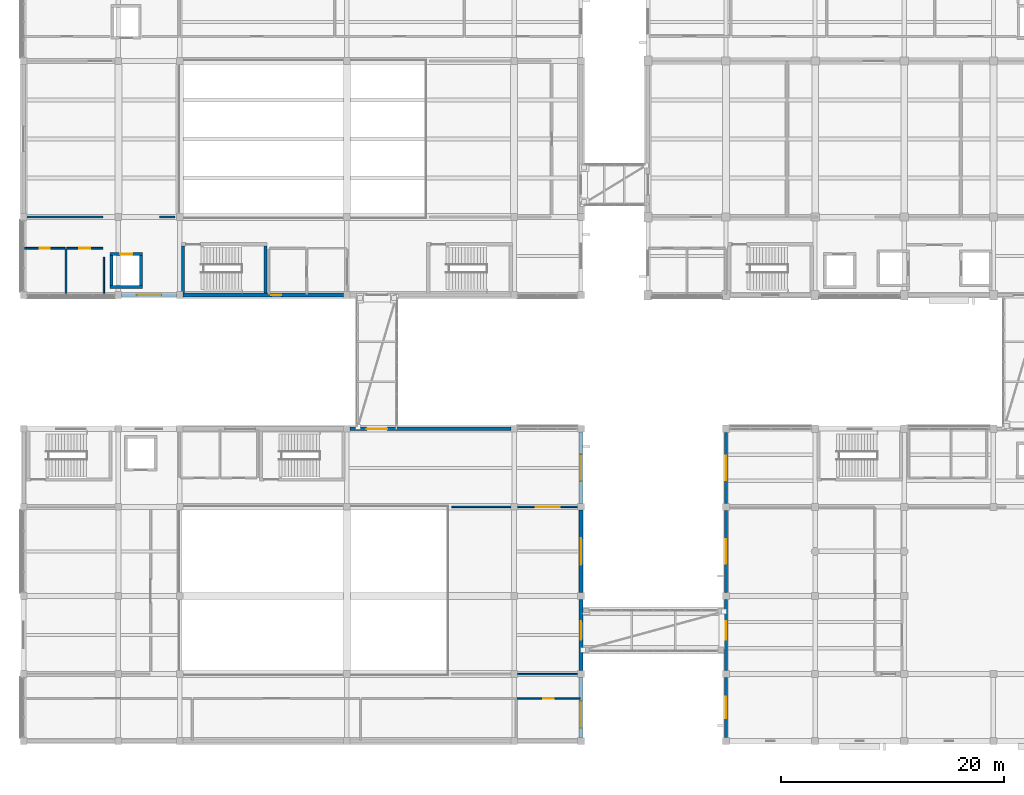
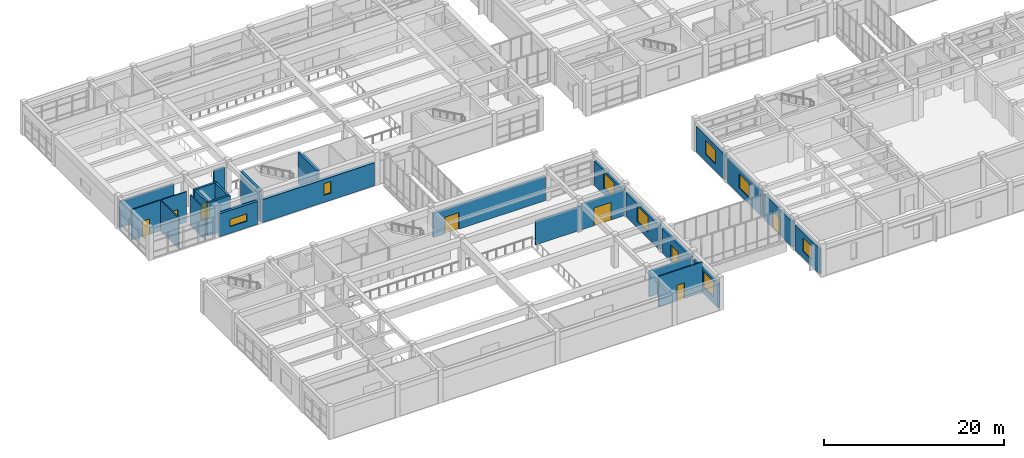
# One storey, part 47 of 72: 27 walls, 8 doors, 8 windows, 16 openings.
"""IFC4 building model written with IfcOpenShell, lengths in metres."""

from ifc_helpers import new_model, si_unit, direction, frame, frame_2d, origin, place, context, subcontext, project, spatial, rectangle, extrude, material, layer, layer_set, type_object, element, fill, save


model = new_model("IFC4")

# Units and contexts
model_context = context("Model", 3, precision=1e-05, world=origin(), true_north=direction((0.0, 1.0)))
body_context = subcontext(model_context, "Body", "Model", "MODEL_VIEW")
ifc_project = project(units=[si_unit("LENGTHUNIT", "METRE"), si_unit("AREAUNIT", "SQUARE_METRE"), si_unit("VOLUMEUNIT", "CUBIC_METRE"), si_unit("PLANEANGLEUNIT", "RADIAN"), si_unit("MASSUNIT", "GRAM", prefix="KILO")], contexts=[model_context])

# Site, building, storey
site_placement = place(None, origin())
site = spatial("IfcSite", under=ifc_project, at=site_placement, CompositionType="ELEMENT")
building_placement = place(site_placement, origin())
building = spatial("IfcBuilding", under=site, at=building_placement, Name="Naurynzar Civic Courthouse", CompositionType="ELEMENT")
storey_placement = place(building_placement, frame((0.0, 0.0, 9.89990234375)))
storey = spatial("IfcBuildingStorey", under=building, at=storey_placement, Name="L03", CompositionType="ELEMENT", Elevation=9.89990234375)

# Walls
ifc_material_1 = material(Name="Acoustic Double-Stud Gypsum Partition")
ifc_layer_1 = layer(ifc_material_1, 0.215087890625)
ifc_layer_set_1 = layer_set([ifc_layer_1], Name="WL-ACOUSTIC-215")
wall_type_1 = type_object("IfcWallType", Name="WL-ACOUSTIC-215", PredefinedType="PARTITIONING", material=ifc_layer_set_1)
wall_1_placement = place(storey_placement, frame((6.080078125, 51.0, 0.0), z_axis=(0.0, 0.0, 1.0), x_axis=(1.0, 0.0, 0.0)))
element("IfcWall", 1, at=wall_1_placement, inside=storey, type_object=wall_type_1, Name="V1 interior partition L03.350", PredefinedType="PARTITIONING", context=body_context, shape_type="SweptSolid", body=[
    extrude(rectangle(XDim=7.02001953125, YDim=0.215087890625, at=frame_2d((3.510009765625, 0.0))), origin(), (0.0, 0.0, 1.0), 3.530029296875),
])
wall_2_placement = place(storey_placement, frame((18.199951171875, 51.0, 0.0), z_axis=(0.0, 0.0, 1.0), x_axis=(1.0, 0.0, 0.0)))
element("IfcWall", 2, at=wall_2_placement, inside=storey, type_object=wall_type_1, Name="V1 interior partition L03.351", PredefinedType="PARTITIONING", context=body_context, shape_type="SweptSolid", body=[
    extrude(rectangle(XDim=1.400146484375, YDim=0.215087890625, at=frame_2d((0.7001953125, 0.0))), origin(), (0.0, 0.0, 1.0), 3.530029296875),
])
ifc_material_2 = material(Name="Concrete C40/50", Category="concrete")
ifc_layer_2 = layer(ifc_material_2, 0.300048828125)
ifc_layer_set_2 = layer_set([ifc_layer_2], Name="WL-CORE-300")
wall_type_2 = type_object("IfcWallType", Name="WL-CORE-300", PredefinedType="SHEAR", material=ifc_layer_set_2)
for number, where, z_axis, x_axis, name in (
    (3, (20.300048828125, 48.39501953125, 0.0), (0.0, 0.0, 1.0), (0.0, -1.0, 0.0), "Stair ST-V1A enclosure wall west L03"),
    (4, (27.699951171875, 44.195068359375, 0.0), (0.0, 0.0, 1.0), (0.0, 1.0, 0.0), "Stair ST-V1A enclosure wall east L03"),
):
    element("IfcWall", number, at=place(storey_placement, frame(where, z_axis=z_axis, x_axis=x_axis)), inside=storey, type_object=wall_type_2, Name=name, PredefinedType="SHEAR", context=body_context, shape_type="SweptSolid", body=[
        extrude(rectangle(XDim=4.199951171875, YDim=0.300048828125, at=frame_2d((2.10009765625, 0.0))), origin(), (0.0, 0.0, 1.0), 4.239990234375),
    ])

# Wall, opening, window
ifc_material_3 = material(Name="Precast concrete C40/50", Category="concrete")
ifc_layer_3 = layer(ifc_material_3, 0.260009765625)
ifc_layer_set_3 = layer_set([ifc_layer_3], Name="WL-EXT-260")
wall_type_3 = type_object("IfcWallType", Name="WL-EXT-260", PredefinedType="SOLIDWALL", material=ifc_layer_set_3)
wall_3_placement = place(storey_placement, frame((69.0, 4.324951171875, 0.0), z_axis=(0.0, 0.0, 1.0), x_axis=(0.0, 1.0, 0.0)))
wall_3 = element("IfcWall", 5, at=wall_3_placement, inside=storey, type_object=wall_type_3, Name="V3 exterior wall west L03.1.1", PredefinedType="SOLIDWALL", context=body_context, shape_type="SweptSolid", body=[
    extrude(rectangle(XDim=5.35009765625, YDim=0.260009765625, at=frame_2d((2.675048828125, 0.0))), origin(), (0.0, 0.0, 1.0), 3.440185546875),
])
opening_1_placement = place(wall_3_placement, frame((1.699951171875, 0.0, 0.89990234375)))
opening_1 = element("IfcOpeningElement", 6, at=opening_1_placement, cuts=wall_3, Name="Opening WN-12", PredefinedType="OPENING", context=body_context, shape_type="SweptSolid", body=[
    extrude(rectangle(XDim=1.949951171875, YDim=1.85009765625, at=frame_2d((0.97509765625, 0.925048828125))), frame((0.0, 0.139892578125, 0.0), z_axis=(0.0, -1.0, 0.0), x_axis=(1.0, 0.0, 0.0)), (0.0, 0.0, 1.0), 0.280029296875),
])
ifc_material_4 = material(Name="Tempered Laminated Low-E Glass", Category="glass")
window_type_1 = type_object("IfcWindowType", Name="WIN-LIB-READ-1950x1850", PartitioningType="DOUBLE_PANEL_VERTICAL", PredefinedType="WINDOW", material=ifc_material_4)
window_1_placement = place(opening_1_placement, origin())
window_1 = element("IfcWindow", 7, at=window_1_placement, inside=storey, type_object=window_type_1, Name="V3 window 167 L03", OverallHeight=1.85009765625, OverallWidth=1.949951171875, PartitioningType="SINGLE_PANEL", PredefinedType="WINDOW", context=body_context, shape_type="SweptSolid", body=[
    extrude(rectangle(XDim=1.949951171875, YDim=1.85009765625, at=frame_2d((0.97509765625, 0.925048828125))), frame((0.0, 0.030029296875, 0.0), z_axis=(0.0, -1.0, 0.0), x_axis=(1.0, 0.0, 0.0)), (0.0, 0.0, 1.0), 0.06005859375),
])
fill(opening_1, window_1)

# Wall, opening, door
wall_4_placement = place(storey_placement, frame((69.0, 10.324951171875, 0.0), z_axis=(0.0, 0.0, 1.0), x_axis=(0.0, 1.0, 0.0)))
wall_4 = element("IfcWall", 8, at=wall_4_placement, inside=storey, type_object=wall_type_3, Name="V3 exterior wall west L03.2.1", PredefinedType="SOLIDWALL", context=body_context, shape_type="SweptSolid", body=[
    extrude(rectangle(XDim=6.35009765625, YDim=0.260009765625, at=frame_2d((3.175048828125, 0.0))), origin(), (0.0, 0.0, 1.0), 3.440185546875),
])
opening_2_placement = place(wall_4_placement, frame((2.75, 0.0, 0.0)))
opening_2 = element("IfcOpeningElement", 9, at=opening_2_placement, cuts=wall_4, Name="Opening BD-22", PredefinedType="OPENING", context=body_context, shape_type="SweptSolid", body=[
    extrude(rectangle(XDim=1.64990234375, YDim=2.199951171875, at=frame_2d((0.824951171875, 1.10009765625))), frame((0.0, 0.139892578125, 0.0), z_axis=(0.0, -1.0, 0.0), x_axis=(1.0, 0.0, 0.0)), (0.0, 0.0, 1.0), 0.280029296875),
])
ifc_material_5 = material(Name="Aluminium 6063-T6", Category="aluminium")
door_type_1 = type_object("IfcDoorType", Name="DR-BRG-1650x2200", OperationType="DOUBLE_DOOR_SINGLE_SWING", PredefinedType="DOOR", material=ifc_material_5)
door_1_placement = place(opening_2_placement, origin())
door_1 = element("IfcDoor", 10, at=door_1_placement, inside=storey, type_object=door_type_1, Name="Seismic bridge fire door BD-22", OperationType="DOUBLE_DOOR_SINGLE_SWING", OverallHeight=2.199951171875, OverallWidth=1.64990234375, PredefinedType="DOOR", context=body_context, shape_type="SweptSolid", body=[
    extrude(rectangle(XDim=1.64990234375, YDim=2.199951171875, at=frame_2d((0.824951171875, 1.10009765625))), frame((0.0, 0.02490234375, 0.0), z_axis=(0.0, -1.0, 0.0), x_axis=(1.0, 0.0, 0.0)), (0.0, 0.0, 1.0), 0.050048828125),
])
fill(opening_2, door_1)

# Wall, opening, window
wall_5_placement = place(storey_placement, frame((69.0, 17.324951171875, 0.0), z_axis=(0.0, 0.0, 1.0), x_axis=(0.0, 1.0, 0.0)))
wall_5 = element("IfcWall", 11, at=wall_5_placement, inside=storey, type_object=wall_type_3, Name="V3 exterior wall west L03.3.1", PredefinedType="SOLIDWALL", context=body_context, shape_type="SweptSolid", body=[
    extrude(rectangle(XDim=7.35009765625, YDim=0.260009765625, at=frame_2d((3.675048828125, 0.0))), origin(), (0.0, 0.0, 1.0), 3.440185546875),
])
opening_3_placement = place(wall_5_placement, frame((2.574951171875, 0.0, 0.89990234375)))
opening_3 = element("IfcOpeningElement", 12, at=opening_3_placement, cuts=wall_5, Name="Opening WN-11", PredefinedType="OPENING", context=body_context, shape_type="SweptSolid", body=[
    extrude(rectangle(XDim=2.199951171875, YDim=1.89990234375, at=frame_2d((1.10009765625, 0.949951171875))), frame((0.0, 0.139892578125, 0.0), z_axis=(0.0, -1.0, 0.0), x_axis=(1.0, 0.0, 0.0)), (0.0, 0.0, 1.0), 0.280029296875),
])
ifc_material_6 = material(Name="Tempered Laminated Low-E Glass", Category="glass")
window_type_2 = type_object("IfcWindowType", Name="WIN-LIB-READ-2200x1900", PartitioningType="DOUBLE_PANEL_VERTICAL", PredefinedType="WINDOW", material=ifc_material_6)
window_2_placement = place(opening_3_placement, origin())
window_2 = element("IfcWindow", 13, at=window_2_placement, inside=storey, type_object=window_type_2, Name="V3 window 168 L03", OverallHeight=1.89990234375, OverallWidth=2.199951171875, PartitioningType="SINGLE_PANEL", PredefinedType="WINDOW", context=body_context, shape_type="SweptSolid", body=[
    extrude(rectangle(XDim=2.199951171875, YDim=1.89990234375, at=frame_2d((1.10009765625, 0.949951171875))), frame((0.0, 0.030029296875, 0.0), z_axis=(0.0, -1.0, 0.0), x_axis=(1.0, 0.0, 0.0)), (0.0, 0.0, 1.0), 0.06005859375),
])
fill(opening_3, window_2)

wall_6_placement = place(storey_placement, frame((69.0, 25.324951171875, 0.0), z_axis=(0.0, 0.0, 1.0), x_axis=(0.0, 1.0, 0.0)))
wall_6 = element("IfcWall", 14, at=wall_6_placement, inside=storey, type_object=wall_type_3, Name="V3 exterior wall west L03.4.1", PredefinedType="SOLIDWALL", context=body_context, shape_type="SweptSolid", body=[
    extrude(rectangle(XDim=6.35009765625, YDim=0.260009765625, at=frame_2d((3.175048828125, 0.0))), origin(), (0.0, 0.0, 1.0), 3.440185546875),
])
opening_4_placement = place(wall_6_placement, frame((2.074951171875, 0.0, 0.89990234375)))
opening_4 = element("IfcOpeningElement", 15, at=opening_4_placement, cuts=wall_6, Name="Opening WN-11", PredefinedType="OPENING", context=body_context, shape_type="SweptSolid", body=[
    extrude(rectangle(XDim=2.199951171875, YDim=1.89990234375, at=frame_2d((1.10009765625, 0.949951171875))), frame((0.0, 0.139892578125, 0.0), z_axis=(0.0, -1.0, 0.0), x_axis=(1.0, 0.0, 0.0)), (0.0, 0.0, 1.0), 0.280029296875),
])
window_3_placement = place(opening_4_placement, origin())
window_3 = element("IfcWindow", 16, at=window_3_placement, inside=storey, type_object=window_type_2, Name="V3 window 169 L03", OverallHeight=1.89990234375, OverallWidth=2.199951171875, PartitioningType="SINGLE_PANEL", PredefinedType="WINDOW", context=body_context, shape_type="SweptSolid", body=[
    extrude(rectangle(XDim=2.199951171875, YDim=1.89990234375, at=frame_2d((1.10009765625, 0.949951171875))), frame((0.0, 0.030029296875, 0.0), z_axis=(0.0, -1.0, 0.0), x_axis=(1.0, 0.0, 0.0)), (0.0, 0.0, 1.0), 0.06005859375),
])
fill(opening_4, window_3)

ifc_material_7 = material(Name="Precast concrete C40/50", Category="concrete")
ifc_layer_4 = layer(ifc_material_7, 0.320068359375)
ifc_layer_set_4 = layer_set([ifc_layer_4], Name="WL-EXT-320")
wall_type_4 = type_object("IfcWallType", Name="WL-EXT-320", PredefinedType="SOLIDWALL", material=ifc_layer_set_4)
wall_7_placement = place(storey_placement, frame((19.699951171875, 44.0, 0.0), z_axis=(0.0, 0.0, 1.0), x_axis=(-1.0, 0.0, 0.0)))
wall_7 = element("IfcWall", 17, at=wall_7_placement, inside=storey, type_object=wall_type_4, Name="V1 exterior wall south L03.4.1", PredefinedType="SOLIDWALL", context=body_context, shape_type="SweptSolid", body=[
    extrude(rectangle(XDim=4.89990234375, YDim=0.320068359375, at=frame_2d((2.449951171875, 0.0))), origin(), (0.0, 0.0, 1.0), 3.110107421875),
])
opening_5_placement = place(wall_7_placement, frame((1.35009765625, 0.0, 0.89990234375)))
opening_5 = element("IfcOpeningElement", 18, at=opening_5_placement, cuts=wall_7, Name="Opening WN-18", PredefinedType="OPENING", context=body_context, shape_type="SweptSolid", body=[
    extrude(rectangle(XDim=2.199951171875, YDim=1.0, at=frame_2d((1.10009765625, 0.5))), frame((0.0, 0.169921875, 0.0), z_axis=(0.0, -1.0, 0.0), x_axis=(1.0, 0.0, 0.0)), (0.0, 0.0, 1.0), 0.340087890625),
])
ifc_material_8 = material(Name="Tempered Laminated Low-E Glass", Category="glass")
window_type_3 = type_object("IfcWindowType", Name="WIN-CLER-2200x1000", PartitioningType="DOUBLE_PANEL_VERTICAL", PredefinedType="WINDOW", material=ifc_material_8)
window_4_placement = place(opening_5_placement, origin())
window_4 = element("IfcWindow", 19, at=window_4_placement, inside=storey, type_object=window_type_3, Name="V1 window 29 L03", OverallHeight=1.0, OverallWidth=2.199951171875, PartitioningType="SINGLE_PANEL", PredefinedType="WINDOW", context=body_context, shape_type="SweptSolid", body=[
    extrude(rectangle(XDim=2.199951171875, YDim=1.0, at=frame_2d((1.10009765625, 0.5))), frame((0.0, 0.030029296875, 0.0), z_axis=(0.0, -1.0, 0.0), x_axis=(1.0, 0.0, 0.0)), (0.0, 0.0, 1.0), 0.06005859375),
])
fill(opening_5, window_4)

# Wall, opening, door
wall_8_placement = place(storey_placement, frame((35.300048828125, 32.0, 0.0), z_axis=(0.0, 0.0, 1.0), x_axis=(1.0, 0.0, 0.0)))
wall_8 = element("IfcWall", 20, at=wall_8_placement, inside=storey, type_object=wall_type_4, Name="V4 exterior wall north L03.4.1", PredefinedType="SOLIDWALL", context=body_context, shape_type="SweptSolid", body=[
    extrude(rectangle(XDim=14.39990234375, YDim=0.320068359375, at=frame_2d((7.199951171875, 0.0))), origin(), (0.0, 0.0, 1.0), 3.260009765625),
])
opening_6_placement = place(wall_8_placement, frame((1.5, 0.0, 0.0)))
opening_6 = element("IfcOpeningElement", 21, at=opening_6_placement, cuts=wall_8, Name="Opening BD-31", PredefinedType="OPENING", context=body_context, shape_type="SweptSolid", body=[
    extrude(rectangle(XDim=1.800048828125, YDim=2.25, at=frame_2d((0.89990234375, 1.125))), frame((0.0, 0.169921875, 0.0), z_axis=(0.0, -1.0, 0.0), x_axis=(1.0, 0.0, 0.0)), (0.0, 0.0, 1.0), 0.340087890625),
])
ifc_material_9 = material(Name="Aluminium 6063-T6", Category="aluminium")
door_type_2 = type_object("IfcDoorType", Name="DR-BRG-1800x2250", OperationType="DOUBLE_DOOR_SINGLE_SWING", PredefinedType="DOOR", material=ifc_material_9)
door_2_placement = place(opening_6_placement, origin())
door_2 = element("IfcDoor", 22, at=door_2_placement, inside=storey, type_object=door_type_2, Name="Seismic bridge fire door BD-31", OperationType="DOUBLE_DOOR_SINGLE_SWING", OverallHeight=2.25, OverallWidth=1.800048828125, PredefinedType="DOOR", context=body_context, shape_type="SweptSolid", body=[
    extrude(rectangle(XDim=1.800048828125, YDim=2.25, at=frame_2d((0.89990234375, 1.125))), frame((0.0, 0.02490234375, 0.0), z_axis=(0.0, -1.0, 0.0), x_axis=(1.0, 0.0, 0.0)), (0.0, 0.0, 1.0), 0.050048828125),
])
fill(opening_6, door_2)

# Wall, opening, window
wall_9_placement = place(storey_placement, frame((56.0, 31.699951171875, 0.0), z_axis=(0.0, 0.0, 1.0), x_axis=(0.0, -1.0, 0.0)))
wall_9 = element("IfcWall", 23, at=wall_9_placement, inside=storey, type_object=wall_type_4, Name="V4 exterior wall east L03.1.1", PredefinedType="SOLIDWALL", context=body_context, shape_type="SweptSolid", body=[
    extrude(rectangle(XDim=6.39990234375, YDim=0.320068359375, at=frame_2d((3.199951171875, 0.0))), origin(), (0.0, 0.0, 1.0), 3.260009765625),
])
opening_7_placement = place(wall_9_placement, frame((2.0, 0.0, 0.89990234375)))
opening_7 = element("IfcOpeningElement", 24, at=opening_7_placement, cuts=wall_9, Name="Opening WN-01", PredefinedType="OPENING", context=body_context, shape_type="SweptSolid", body=[
    extrude(rectangle(XDim=2.39990234375, YDim=2.10009765625, at=frame_2d((1.199951171875, 1.050048828125))), frame((0.0, 0.169921875, 0.0), z_axis=(0.0, -1.0, 0.0), x_axis=(1.0, 0.0, 0.0)), (0.0, 0.0, 1.0), 0.340087890625),
])
ifc_material_10 = material(Name="Tempered Laminated Low-E Glass", Category="glass")
window_type_4 = type_object("IfcWindowType", Name="WIN-COURT-2400x2100", PartitioningType="DOUBLE_PANEL_VERTICAL", PredefinedType="WINDOW", material=ifc_material_10)
window_5_placement = place(opening_7_placement, origin())
window_5 = element("IfcWindow", 25, at=window_5_placement, inside=storey, type_object=window_type_4, Name="V4 window 224 L03", OverallHeight=2.10009765625, OverallWidth=2.39990234375, PartitioningType="SINGLE_PANEL", PredefinedType="WINDOW", context=body_context, shape_type="SweptSolid", body=[
    extrude(rectangle(XDim=2.39990234375, YDim=2.10009765625, at=frame_2d((1.199951171875, 1.050048828125))), frame((0.0, 0.030029296875, 0.0), z_axis=(0.0, -1.0, 0.0), x_axis=(1.0, 0.0, 0.0)), (0.0, 0.0, 1.0), 0.06005859375),
])
fill(opening_7, window_5)

wall_10_placement = place(storey_placement, frame((56.0, 24.699951171875, 0.0), z_axis=(0.0, 0.0, 1.0), x_axis=(0.0, -1.0, 0.0)))
wall_10 = element("IfcWall", 26, at=wall_10_placement, inside=storey, type_object=wall_type_4, Name="V4 exterior wall east L03.2.1", PredefinedType="SOLIDWALL", context=body_context, shape_type="SweptSolid", body=[
    extrude(rectangle(XDim=7.39990234375, YDim=0.320068359375, at=frame_2d((3.699951171875, 0.0))), origin(), (0.0, 0.0, 1.0), 3.260009765625),
])
opening_8_placement = place(wall_10_placement, frame((2.5, 0.0, 0.89990234375)))
opening_8 = element("IfcOpeningElement", 27, at=opening_8_placement, cuts=wall_10, Name="Opening WN-01", PredefinedType="OPENING", context=body_context, shape_type="SweptSolid", body=[
    extrude(rectangle(XDim=2.39990234375, YDim=2.10009765625, at=frame_2d((1.199951171875, 1.050048828125))), frame((0.0, 0.169921875, 0.0), z_axis=(0.0, -1.0, 0.0), x_axis=(1.0, 0.0, 0.0)), (0.0, 0.0, 1.0), 0.340087890625),
])
window_6_placement = place(opening_8_placement, origin())
window_6 = element("IfcWindow", 28, at=window_6_placement, inside=storey, type_object=window_type_4, Name="V4 window 225 L03", OverallHeight=2.10009765625, OverallWidth=2.39990234375, PartitioningType="SINGLE_PANEL", PredefinedType="WINDOW", context=body_context, shape_type="SweptSolid", body=[
    extrude(rectangle(XDim=2.39990234375, YDim=2.10009765625, at=frame_2d((1.199951171875, 1.050048828125))), frame((0.0, 0.030029296875, 0.0), z_axis=(0.0, -1.0, 0.0), x_axis=(1.0, 0.0, 0.0)), (0.0, 0.0, 1.0), 0.06005859375),
])
fill(opening_8, window_6)

# Wall, opening, door
wall_11_placement = place(storey_placement, frame((56.0, 16.699951171875, 0.0), z_axis=(0.0, 0.0, 1.0), x_axis=(0.0, -1.0, 0.0)))
wall_11 = element("IfcWall", 29, at=wall_11_placement, inside=storey, type_object=wall_type_4, Name="V4 exterior wall east L03.3.1", PredefinedType="SOLIDWALL", context=body_context, shape_type="SweptSolid", body=[
    extrude(rectangle(XDim=6.39990234375, YDim=0.320068359375, at=frame_2d((3.199951171875, 0.0))), origin(), (0.0, 0.0, 1.0), 3.260009765625),
])
opening_9_placement = place(wall_11_placement, frame((1.97509765625, 0.0, 0.0)))
opening_9 = element("IfcOpeningElement", 30, at=opening_9_placement, cuts=wall_11, Name="Opening BD-32", PredefinedType="OPENING", context=body_context, shape_type="SweptSolid", body=[
    extrude(rectangle(XDim=1.64990234375, YDim=2.199951171875, at=frame_2d((0.824951171875, 1.10009765625))), frame((0.0, 0.169921875, 0.0), z_axis=(0.0, -1.0, 0.0), x_axis=(1.0, 0.0, 0.0)), (0.0, 0.0, 1.0), 0.340087890625),
])
door_3_placement = place(opening_9_placement, origin())
door_3 = element("IfcDoor", 31, at=door_3_placement, inside=storey, type_object=door_type_1, Name="Seismic bridge fire door BD-32", OperationType="DOUBLE_DOOR_SINGLE_SWING", OverallHeight=2.199951171875, OverallWidth=1.64990234375, PredefinedType="DOOR", context=body_context, shape_type="SweptSolid", body=[
    extrude(rectangle(XDim=1.64990234375, YDim=2.199951171875, at=frame_2d((0.824951171875, 1.10009765625))), frame((0.0, 0.02490234375, 0.0), z_axis=(0.0, -1.0, 0.0), x_axis=(1.0, 0.0, 0.0)), (0.0, 0.0, 1.0), 0.050048828125),
])
fill(opening_9, door_3)

# Wall, opening, window
wall_12_placement = place(storey_placement, frame((56.0, 9.699951171875, 0.0), z_axis=(0.0, 0.0, 1.0), x_axis=(0.0, -1.0, 0.0)))
wall_12 = element("IfcWall", 32, at=wall_12_placement, inside=storey, type_object=wall_type_4, Name="V4 exterior wall east L03.4.1", PredefinedType="SOLIDWALL", context=body_context, shape_type="SweptSolid", body=[
    extrude(rectangle(XDim=5.39990234375, YDim=0.320068359375, at=frame_2d((2.699951171875, 0.0))), origin(), (0.0, 0.0, 1.0), 3.260009765625),
])
opening_10_placement = place(wall_12_placement, frame((2.1201171875, 0.0, 0.89990234375)))
opening_10 = element("IfcOpeningElement", 33, at=opening_10_placement, cuts=wall_12, Name="Opening WN-01", PredefinedType="OPENING", context=body_context, shape_type="SweptSolid", body=[
    extrude(rectangle(XDim=2.39990234375, YDim=2.10009765625, at=frame_2d((1.199951171875, 1.050048828125))), frame((0.0, 0.169921875, 0.0), z_axis=(0.0, -1.0, 0.0), x_axis=(1.0, 0.0, 0.0)), (0.0, 0.0, 1.0), 0.340087890625),
])
window_7_placement = place(opening_10_placement, origin())
window_7 = element("IfcWindow", 34, at=window_7_placement, inside=storey, type_object=window_type_4, Name="V4 window 226 L03", OverallHeight=2.10009765625, OverallWidth=2.39990234375, PartitioningType="SINGLE_PANEL", PredefinedType="WINDOW", context=body_context, shape_type="SweptSolid", body=[
    extrude(rectangle(XDim=2.39990234375, YDim=2.10009765625, at=frame_2d((1.199951171875, 1.050048828125))), frame((0.0, 0.030029296875, 0.0), z_axis=(0.0, -1.0, 0.0), x_axis=(1.0, 0.0, 0.0)), (0.0, 0.0, 1.0), 0.06005859375),
])
fill(opening_10, window_7)

# Walls
ifc_material_11 = material(Name="Metal-Stud Gypsum Partition")
ifc_layer_5 = layer(ifc_material_11, 0.125)
ifc_layer_set_5 = layer_set([ifc_layer_5], Name="WL-PART-STD-125")
wall_type_5 = type_object("IfcWallType", Name="WL-PART-STD-125", PredefinedType="PARTITIONING", material=ifc_layer_set_5)
wall_13_placement = place(storey_placement, frame((50.300048828125, 10.0, 0.0), z_axis=(0.0, 0.0, 1.0), x_axis=(1.0, 0.0, 0.0)))
element("IfcWall", 35, at=wall_13_placement, inside=storey, type_object=wall_type_5, Name="V4 interior partition L03.314ab", PredefinedType="PARTITIONING", context=body_context, shape_type="SweptSolid", body=[
    extrude(rectangle(XDim=5.619873046875, YDim=0.125, at=frame_2d((2.81005859375, 0.0))), origin(), (0.0, 0.0, 1.0), 3.530029296875),
])
wall_14_placement = place(storey_placement, frame((44.39990234375, 25.0, 0.0), z_axis=(0.0, 0.0, 1.0), x_axis=(1.0, 0.0, 0.0)))
element("IfcWall", 36, at=wall_14_placement, inside=storey, type_object=wall_type_5, Name="V4 interior partition L03.326a", PredefinedType="PARTITIONING", context=body_context, shape_type="SweptSolid", body=[
    extrude(rectangle(XDim=5.900146484375, YDim=0.125, at=frame_2d((2.9501953125, 0.0))), origin(), (0.0, 0.0, 1.0), 3.280029296875),
])

# Wall, opening, door
wall_15_placement = place(storey_placement, frame((50.300048828125, 25.0, 0.0), z_axis=(0.0, 0.0, 1.0), x_axis=(1.0, 0.0, 0.0)))
wall_15 = element("IfcWall", 37, at=wall_15_placement, inside=storey, type_object=wall_type_5, Name="V4 interior partition L03.326ab", PredefinedType="PARTITIONING", context=body_context, shape_type="SweptSolid", body=[
    extrude(rectangle(XDim=5.619873046875, YDim=0.125, at=frame_2d((2.81005859375, 0.0))), origin(), (0.0, 0.0, 1.0), 3.530029296875),
])
opening_11_placement = place(wall_15_placement, frame((1.625, 0.0, 0.0)))
opening_11 = element("IfcOpeningElement", 38, at=opening_11_placement, cuts=wall_15, Name="Opening D-074", PredefinedType="OPENING", context=body_context, shape_type="SweptSolid", body=[
    extrude(rectangle(XDim=2.14990234375, YDim=2.39990234375, at=frame_2d((1.074951171875, 1.199951171875))), frame((0.0, 0.072509765625, 0.0), z_axis=(0.0, -1.0, 0.0), x_axis=(1.0, 0.0, 0.0)), (0.0, 0.0, 1.0), 0.14501953125),
])
ifc_material_12 = material(Name="Acoustic Oak Timber Grade A", Category="wood")
door_type_3 = type_object("IfcDoorType", Name="DR-SUITE-2150x2400", OperationType="DOUBLE_DOOR_SINGLE_SWING", PredefinedType="DOOR", material=ifc_material_12)
door_4_placement = place(opening_11_placement, origin())
door_4 = element("IfcDoor", 39, at=door_4_placement, inside=storey, type_object=door_type_3, Name="Interior door D-074 (Staff Dining Buffet)", OperationType="DOUBLE_DOOR_SINGLE_SWING", OverallHeight=2.39990234375, OverallWidth=2.14990234375, PredefinedType="DOOR", context=body_context, shape_type="SweptSolid", body=[
    extrude(rectangle(XDim=2.14990234375, YDim=2.39990234375, at=frame_2d((1.074951171875, 1.199951171875))), frame((0.0, 0.02490234375, 0.0), z_axis=(0.0, -1.0, 0.0), x_axis=(1.0, 0.0, 0.0)), (0.0, 0.0, 1.0), 0.050048828125),
])
fill(opening_11, door_4)

ifc_material_13 = material(Name="Moisture-Resistant Plumbing Partition")
ifc_layer_6 = layer(ifc_material_13, 0.139892578125)
ifc_layer_set_6 = layer_set([ifc_layer_6], Name="WL-PART-WC-140")
wall_type_6 = type_object("IfcWallType", Name="WL-PART-WC-140", PredefinedType="PLUMBINGWALL", material=ifc_layer_set_6)
wall_16_placement = place(storey_placement, frame((50.27001953125, 7.800048828125, 0.0), z_axis=(0.0, 0.0, 1.0), x_axis=(1.0, 0.0, 0.0)))
wall_16 = element("IfcWall", 40, at=wall_16_placement, inside=storey, type_object=wall_type_6, Name="V4 interior partition L03.309", PredefinedType="PLUMBINGWALL", context=body_context, shape_type="SweptSolid", body=[
    extrude(rectangle(XDim=5.64990234375, YDim=0.139892578125, at=frame_2d((2.824951171875, 0.0))), origin(), (0.0, 0.0, 1.0), 4.14013671875),
])
opening_12_placement = place(wall_16_placement, frame((2.364990234375, 0.0, 0.0)))
opening_12 = element("IfcOpeningElement", 41, at=opening_12_placement, cuts=wall_16, Name="Opening D-078", PredefinedType="OPENING", context=body_context, shape_type="SweptSolid", body=[
    extrude(rectangle(XDim=0.919921875, YDim=2.10009765625, at=frame_2d((0.4599609375, 1.050048828125))), frame((0.0, 0.079833984375, 0.0), z_axis=(0.0, -1.0, 0.0), x_axis=(1.0, 0.0, 0.0)), (0.0, 0.0, 1.0), 0.159912109375),
])
ifc_material_14 = material(Name="Acoustic Oak Timber Grade A", Category="wood")
door_type_4 = type_object("IfcDoorType", Name="DR-WC-STD-920x2100", OperationType="NOTDEFINED", PredefinedType="DOOR", material=ifc_material_14)
door_5_placement = place(opening_12_placement, origin())
door_5 = element("IfcDoor", 42, at=door_5_placement, inside=storey, type_object=door_type_4, Name="Interior door D-078 (Staff WC V4)", OperationType="SINGLE_SWING_RIGHT", OverallHeight=2.10009765625, OverallWidth=0.919921875, PredefinedType="DOOR", context=body_context, shape_type="SweptSolid", body=[
    extrude(rectangle(XDim=0.919921875, YDim=2.10009765625, at=frame_2d((0.4599609375, 1.050048828125))), frame((0.0, 0.02490234375, 0.0), z_axis=(0.0, -1.0, 0.0), x_axis=(1.0, 0.0, 0.0)), (0.0, 0.0, 1.0), 0.050048828125),
])
fill(opening_12, door_5)

wall_17_placement = place(storey_placement, frame((6.080078125, 48.199951171875, 0.0), z_axis=(0.0, 0.0, 1.0), x_axis=(1.0, 0.0, 0.0)))
wall_17 = element("IfcWall", 43, at=wall_17_placement, inside=storey, type_object=wall_type_6, Name="V1 interior partition L03.342", PredefinedType="PLUMBINGWALL", context=body_context, shape_type="SweptSolid", body=[
    extrude(rectangle(XDim=3.639892578125, YDim=0.139892578125, at=frame_2d((1.81982421875, 0.0))), origin(), (0.0, 0.0, 1.0), 4.14013671875),
])
opening_13_placement = place(wall_17_placement, frame((1.360107421875, 0.0, 0.0)))
opening_13 = element("IfcOpeningElement", 44, at=opening_13_placement, cuts=wall_17, Name="Opening D-029", PredefinedType="OPENING", context=body_context, shape_type="SweptSolid", body=[
    extrude(rectangle(XDim=0.919921875, YDim=2.10009765625, at=frame_2d((0.4599609375, 1.050048828125))), frame((0.0, 0.079833984375, 0.0), z_axis=(0.0, -1.0, 0.0), x_axis=(1.0, 0.0, 0.0)), (0.0, 0.0, 1.0), 0.159912109375),
])
door_6_placement = place(opening_13_placement, origin())
door_6 = element("IfcDoor", 45, at=door_6_placement, inside=storey, type_object=door_type_4, Name="Interior door D-029 (Public WC V1)", OperationType="SINGLE_SWING_LEFT", OverallHeight=2.10009765625, OverallWidth=0.919921875, PredefinedType="DOOR", context=body_context, shape_type="SweptSolid", body=[
    extrude(rectangle(XDim=0.919921875, YDim=2.10009765625, at=frame_2d((0.4599609375, 1.050048828125))), frame((0.0, 0.02490234375, 0.0), z_axis=(0.0, -1.0, 0.0), x_axis=(1.0, 0.0, 0.0)), (0.0, 0.0, 1.0), 0.050048828125),
])
fill(opening_13, door_6)

wall_18_placement = place(storey_placement, frame((9.8798828125, 48.199951171875, 0.0), z_axis=(0.0, 0.0, 1.0), x_axis=(1.0, 0.0, 0.0)))
wall_18 = element("IfcWall", 46, at=wall_18_placement, inside=storey, type_object=wall_type_6, Name="V1 interior partition L03.343", PredefinedType="PLUMBINGWALL", context=body_context, shape_type="SweptSolid", body=[
    extrude(rectangle(XDim=3.22021484375, YDim=0.139892578125, at=frame_2d((1.610107421875, 0.0))), origin(), (0.0, 0.0, 1.0), 4.14013671875),
])
opening_14_placement = place(wall_18_placement, frame((1.1298828125, 0.0, 0.0)))
opening_14 = element("IfcOpeningElement", 47, at=opening_14_placement, cuts=wall_18, Name="Opening D-030", PredefinedType="OPENING", context=body_context, shape_type="SweptSolid", body=[
    extrude(rectangle(XDim=0.9599609375, YDim=2.10009765625, at=frame_2d((0.47998046875, 1.050048828125))), frame((0.0, 0.079833984375, 0.0), z_axis=(0.0, -1.0, 0.0), x_axis=(1.0, 0.0, 0.0)), (0.0, 0.0, 1.0), 0.159912109375),
])
ifc_material_15 = material(Name="Acoustic Oak Timber Grade A", Category="wood")
door_type_5 = type_object("IfcDoorType", Name="DR-WC-ACC-960x2100", OperationType="NOTDEFINED", PredefinedType="DOOR", material=ifc_material_15)
door_7_placement = place(opening_14_placement, origin())
door_7 = element("IfcDoor", 48, at=door_7_placement, inside=storey, type_object=door_type_5, Name="Interior door D-030 (Accessible WC V1)", OperationType="SINGLE_SWING_RIGHT", OverallHeight=2.10009765625, OverallWidth=0.9599609375, PredefinedType="DOOR", context=body_context, shape_type="SweptSolid", body=[
    extrude(rectangle(XDim=0.9599609375, YDim=2.10009765625, at=frame_2d((0.47998046875, 1.050048828125))), frame((0.0, 0.02490234375, 0.0), z_axis=(0.0, -1.0, 0.0), x_axis=(1.0, 0.0, 0.0)), (0.0, 0.0, 1.0), 0.050048828125),
])
fill(opening_14, door_7)

# Walls
wall_19_placement = place(storey_placement, frame((9.800048828125, 44.080078125, 0.0), z_axis=(0.0, 0.0, 1.0), x_axis=(0.0, 1.0, 0.0)))
element("IfcWall", 49, at=wall_19_placement, inside=storey, type_object=wall_type_6, Name="V1 interior partition L03.383", PredefinedType="PLUMBINGWALL", context=body_context, shape_type="SweptSolid", body=[
    extrude(rectangle(XDim=4.0400390625, YDim=0.139892578125, at=frame_2d((2.02001953125, 0.0))), origin(), (0.0, 0.0, 1.0), 4.14013671875),
])
wall_20_placement = place(storey_placement, frame((13.199951171875, 44.080078125, 0.0), z_axis=(0.0, 0.0, 1.0), x_axis=(0.0, 1.0, 0.0)))
element("IfcWall", 50, at=wall_20_placement, inside=storey, type_object=wall_type_6, Name="V1 interior partition L03.384", PredefinedType="PLUMBINGWALL", context=body_context, shape_type="SweptSolid", body=[
    extrude(rectangle(XDim=3.31982421875, YDim=0.139892578125, at=frame_2d((1.659912109375, 0.0))), origin(), (0.0, 0.0, 1.0), 4.14013671875),
])

# Wall, opening, window
ifc_material_16 = material(Name="Concrete C40/50", Category="concrete")
ifc_layer_7 = layer(ifc_material_16, 0.3798828125)
ifc_layer_set_7 = layer_set([ifc_layer_7], Name="WL-RET-380")
wall_type_7 = type_object("IfcWallType", Name="WL-RET-380", PredefinedType="STANDARD", material=ifc_layer_set_7)
wall_21_placement = place(storey_placement, frame((34.699951171875, 44.0, 0.0), z_axis=(0.0, 0.0, 1.0), x_axis=(-1.0, 0.0, 0.0)))
wall_21 = element("IfcWall", 51, at=wall_21_placement, inside=storey, type_object=wall_type_7, Name="V1 exterior wall south L03.3.1", PredefinedType="STANDARD", context=body_context, shape_type="SweptSolid", body=[
    extrude(rectangle(XDim=14.39990234375, YDim=0.3798828125, at=frame_2d((7.199951171875, 0.0))), origin(), (0.0, 0.0, 1.0), 3.110107421875),
])
opening_15_placement = place(wall_21_placement, frame((5.580078125, 0.0, 0.949951171875)))
opening_15 = element("IfcOpeningElement", 52, at=opening_15_placement, cuts=wall_21, Name="Opening WM-03", PredefinedType="OPENING", context=body_context, shape_type="SweptSolid", body=[
    extrude(rectangle(XDim=0.89990234375, YDim=1.60009765625, at=frame_2d((0.449951171875, 0.800048828125))), frame((0.0, 0.199951171875, 0.0), z_axis=(0.0, -1.0, 0.0), x_axis=(1.0, 0.0, 0.0)), (0.0, 0.0, 1.0), 0.39990234375),
])
ifc_material_17 = material(Name="Tempered Laminated Low-E Glass", Category="glass")
window_type_5 = type_object("IfcWindowType", Name="WIN-MOD-900x1600", PartitioningType="SINGLE_PANEL", PredefinedType="WINDOW", material=ifc_material_17)
window_8_placement = place(opening_15_placement, origin())
window_8 = element("IfcWindow", 53, at=window_8_placement, inside=storey, type_object=window_type_5, Name="Modular glazed window 3", OverallHeight=1.60009765625, OverallWidth=0.89990234375, PartitioningType="SINGLE_PANEL", PredefinedType="WINDOW", context=body_context, shape_type="SweptSolid", body=[
    extrude(rectangle(XDim=0.89990234375, YDim=1.60009765625, at=frame_2d((0.449951171875, 0.800048828125))), frame((0.0, 0.030029296875, 0.0), z_axis=(0.0, -1.0, 0.0), x_axis=(1.0, 0.0, 0.0)), (0.0, 0.0, 1.0), 0.06005859375),
])
fill(opening_15, window_8)

# Wall
ifc_material_18 = material(Name="Concrete C40/50", Category="concrete")
ifc_layer_8 = layer(ifc_material_18, 0.25)
ifc_layer_set_8 = layer_set([ifc_layer_8], Name="WL-SHAFT-250")
wall_type_8 = type_object("IfcWallType", Name="WL-SHAFT-250", PredefinedType="SHEAR", material=ifc_layer_set_8)
wall_22_placement = place(storey_placement, frame((13.75, 44.72509765625, 0.0), z_axis=(0.0, 0.0, 1.0), x_axis=(1.0, 0.0, 0.0)))
element("IfcWall", 54, at=wall_22_placement, inside=storey, type_object=wall_type_8, Name="Lift LP-01 shaft wall south L03", PredefinedType="SHEAR", context=body_context, shape_type="SweptSolid", body=[
    extrude(rectangle(XDim=2.89990234375, YDim=0.25, at=frame_2d((1.449951171875, 0.0))), origin(), (0.0, 0.0, 1.0), 4.5),
])

# Wall, opening, door
wall_23_placement = place(storey_placement, frame((16.64990234375, 47.675048828125, 0.0), z_axis=(0.0, 0.0, 1.0), x_axis=(-1.0, 0.0, 0.0)))
wall_23 = element("IfcWall", 55, at=wall_23_placement, inside=storey, type_object=wall_type_8, Name="Lift LP-01 shaft wall north L03", PredefinedType="SHEAR", context=body_context, shape_type="SweptSolid", body=[
    extrude(rectangle(XDim=2.89990234375, YDim=0.25, at=frame_2d((1.449951171875, 0.0))), origin(), (0.0, 0.0, 1.0), 4.5),
])
opening_16_placement = place(wall_23_placement, frame((0.89990234375, 0.0, 0.0)))
opening_16 = element("IfcOpeningElement", 56, at=opening_16_placement, cuts=wall_23, Name="Opening LD-004", PredefinedType="OPENING", context=body_context, shape_type="SweptSolid", body=[
    extrude(rectangle(XDim=1.10009765625, YDim=2.14990234375, at=frame_2d((0.550048828125, 1.074951171875))), frame((0.0, 0.135009765625, 0.0), z_axis=(0.0, -1.0, 0.0), x_axis=(1.0, 0.0, 0.0)), (0.0, 0.0, 1.0), 0.27001953125),
])
ifc_material_19 = material(Name="Brushed Stainless Steel 304", Category="steel")
door_type_6 = type_object("IfcDoorType", Name="DR-LIFT-SLIDE-1100x2150", OperationType="DOUBLE_DOOR_SLIDING", PredefinedType="DOOR", material=ifc_material_19)
door_8_placement = place(opening_16_placement, origin())
door_8 = element("IfcDoor", 57, at=door_8_placement, inside=storey, type_object=door_type_6, Name="Lift LP-01 sliding landing door L03", OperationType="DOUBLE_DOOR_SLIDING", OverallHeight=2.14990234375, OverallWidth=1.10009765625, PredefinedType="DOOR", context=body_context, shape_type="SweptSolid", body=[
    extrude(rectangle(XDim=1.10009765625, YDim=2.14990234375, at=frame_2d((0.550048828125, 1.074951171875))), frame((0.0, 0.02490234375, 0.0), z_axis=(0.0, -1.0, 0.0), x_axis=(1.0, 0.0, 0.0)), (0.0, 0.0, 1.0), 0.050048828125),
])
fill(opening_16, door_8)

# Walls
for number, where, z_axis, x_axis, name in (
    (58, (13.875, 47.544921875, 0.0), (0.0, 0.0, 1.0), (0.0, -1.0, 0.0), "Lift LP-01 shaft wall west L03"),
    (59, (16.52490234375, 44.85498046875, 0.0), (0.0, 0.0, 1.0), (0.0, 1.0, 0.0), "Lift LP-01 shaft wall east L03"),
):
    element("IfcWall", number, at=place(storey_placement, frame(where, z_axis=z_axis, x_axis=x_axis)), inside=storey, type_object=wall_type_8, Name=name, PredefinedType="SHEAR", context=body_context, shape_type="SweptSolid", body=[
        extrude(rectangle(XDim=2.68994140625, YDim=0.25, at=frame_2d((1.344970703125, 0.0))), origin(), (0.0, 0.0, 1.0), 4.5),
    ])

save(model, "model.ifc")
